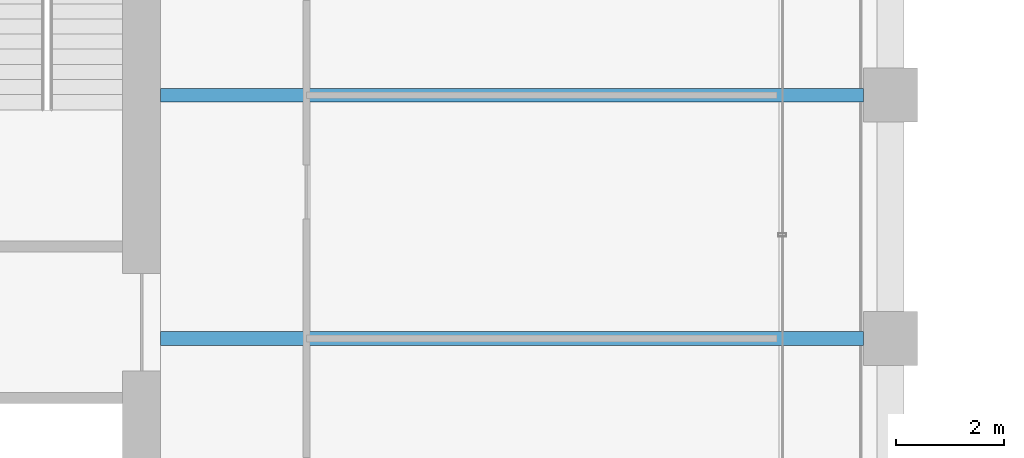
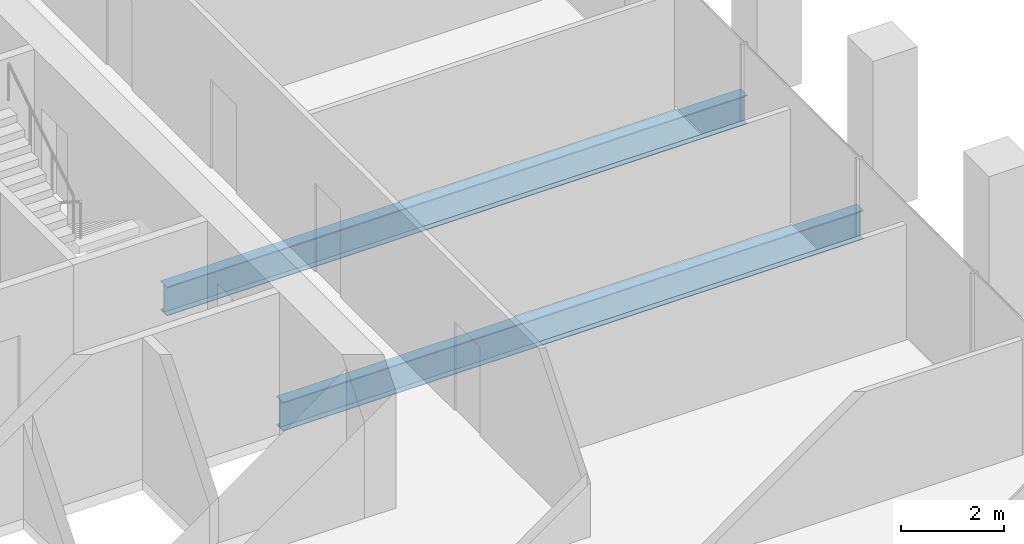
# One storey, part 16 of 46: 2 beams.
"""IFC4 building model written with IfcOpenShell, lengths in metres."""

from ifc_helpers import new_model, si_unit, direction, frame, origin, origin_2d, place, context, subcontext, project, spatial, i_section, extrude, material, material_profile, profile_set, type_object, element, save


model = new_model("IFC4")

# Units and contexts
model_context = context("Model", 3, precision=1e-05, world=origin(), true_north=direction((0.0, 1.0)))
body_context = subcontext(model_context, "Body", "Model", "MODEL_VIEW")
ifc_project = project(units=[si_unit("LENGTHUNIT", "METRE"), si_unit("AREAUNIT", "SQUARE_METRE"), si_unit("VOLUMEUNIT", "CUBIC_METRE"), si_unit("PLANEANGLEUNIT", "RADIAN"), si_unit("MASSUNIT", "GRAM", prefix="KILO")], contexts=[model_context])

# Site, building, storey
site_placement = place(None, origin())
site = spatial("IfcSite", under=ifc_project, at=site_placement, CompositionType="ELEMENT")
building_placement = place(site_placement, origin())
building = spatial("IfcBuilding", under=site, at=building_placement, Name="Altepetl Exchange Towers", CompositionType="ELEMENT")
storey_placement = place(building_placement, frame((0.0, 0.0, 131.60009765625)))
storey = spatial("IfcBuildingStorey", under=building, at=storey_placement, Name="L32", CompositionType="ELEMENT", Elevation=131.60009765625)

# Beams
ifc_material = material(Name="Steel S355", Category="steel")
ifc_material_profile = material_profile(ifc_material, i_section(OverallWidth=0.25390625, OverallDepth=0.68408203125, WebThickness=0.012451171875, FlangeThickness=0.018798828125, at=origin_2d()), Name="W27X94")
ifc_profile_set = profile_set([ifc_material_profile], Name="Steel S355")
beam_type = type_object("IfcBeamType", Name="Floor beam W27X94", PredefinedType="BEAM", material=ifc_profile_set)
for number, where, z_axis, x_axis, name in (
    (1, (58.5, 45.0, -0.4921875), (1.0, 0.0, 0.0), (0.0, 1.0, 0.0), "bm:A:L32:009"),
    (2, (58.5, 49.5, -0.4921875), (1.0, 0.0, 0.0), (0.0, 1.0, 0.0), "bm:A:L32:010"),
):
    element("IfcBeam", number, at=place(storey_placement, frame(where, z_axis=z_axis, x_axis=x_axis)), inside=storey, type_object=beam_type, Name=name, PredefinedType="BEAM", context=body_context, shape_type="SweptSolid", body=[
        extrude(i_section(OverallWidth=0.25390625, OverallDepth=0.68408203125, WebThickness=0.012451171875, FlangeThickness=0.018798828125, at=origin_2d()), origin(), (0.0, 0.0, 1.0), 13.0),
    ])

save(model, "model.ifc")
